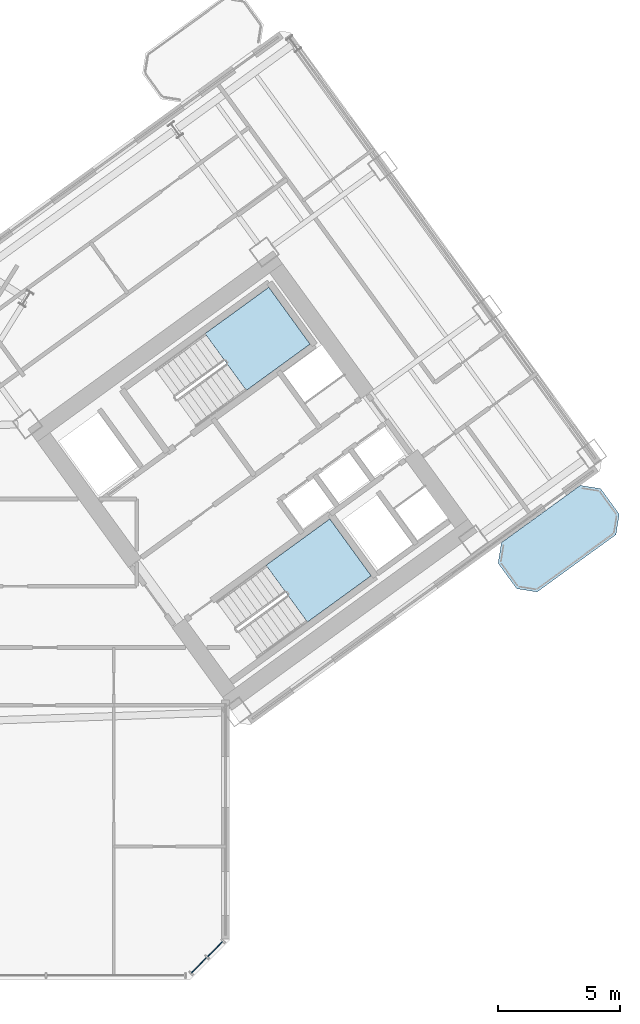
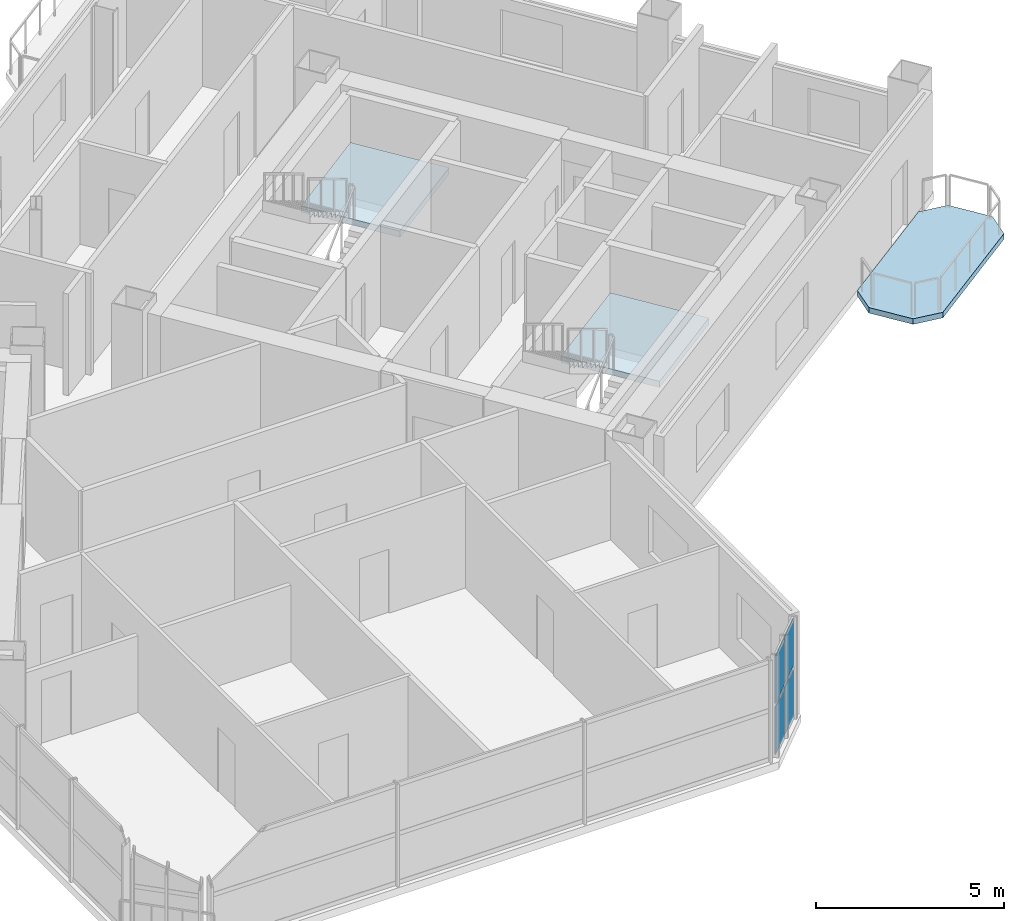
# One storey, part 10 of 22: 4 plates, 3 slabs, 3 elements without a shape of their own.
"""IFC4 building model written with IfcOpenShell, lengths in metres."""

from ifc_helpers import new_model, si_unit, direction, frame, origin, origin_2d, place, context, subcontext, project, spatial, polyline, rectangle, outline, extrude, source, transform, mapped, material, layer, layer_set, type_object, element, aggregate, save


model = new_model("IFC4")

# Units and contexts
model_context = context("Model", 3, precision=1e-05, world=origin(), true_north=direction((0.0, 1.0)))
body_context = subcontext(model_context, "Body", "Model", "MODEL_VIEW")
ifc_project = project(units=[si_unit("LENGTHUNIT", "METRE"), si_unit("AREAUNIT", "SQUARE_METRE"), si_unit("VOLUMEUNIT", "CUBIC_METRE"), si_unit("PLANEANGLEUNIT", "RADIAN"), si_unit("MASSUNIT", "GRAM", prefix="KILO")], contexts=[model_context])

# Site, building, storey
site_placement = place(None, origin())
site = spatial("IfcSite", under=ifc_project, at=site_placement, CompositionType="ELEMENT")
building_placement = place(site_placement, origin())
building = spatial("IfcBuilding", under=site, at=building_placement, Name="Tlacorven Tower", CompositionType="ELEMENT")
storey_placement = place(building_placement, frame((0.0, 0.0, 97.199951171875)))
storey = spatial("IfcBuildingStorey", under=building, at=storey_placement, Name="L24", CompositionType="ELEMENT", Elevation=97.199951171875)

# Slab
ifc_material_1 = material(Name="Precast concrete C45/55", Category="concrete")
ifc_layer_1 = layer(ifc_material_1, 0.179931640625)
ifc_layer_set_1 = layer_set([ifc_layer_1], Name="Precast concrete C45/55")
slab_type_1 = type_object("IfcSlabType", Name="SL-BAL-180", PredefinedType="USERDEFINED", material=ifc_layer_set_1)
slab_1_placement = place(storey_placement, frame((0.0, 0.0, -0.179931640625)))
element("IfcSlab", 1, at=slab_1_placement, inside=storey, type_object=slab_type_1, Name="L24 East Wing Balcony Ribbon OUT", ObjectType="BALCONY SLAB", PredefinedType="USERDEFINED", context=body_context, shape_type="SweptSolid", body=[
    extrude(outline(polyline([(65.025634765625, 17.69482421875), (68.26171875, 20.046142578125), (68.394287109375, 20.884033203125), (67.633056640625, 21.931884765625), (66.795166015625, 22.064453125), (63.55908203125, 19.71337890625), (63.42626953125, 18.875244140625), (64.1875, 17.82763671875), (65.025634765625, 17.69482421875)])), origin(), (0.0, 0.0, 1.0), 0.179931640625),
])

# Stair, slab
ifc_material_2 = material(Name="Concrete C40/50", Category="concrete")
stair_type = type_object("IfcStairType", Name="ST-CORE-DLG", PredefinedType="HALF_TURN_STAIR", material=ifc_material_2)
stair_1_placement = place(storey_placement, origin())
stair_1 = element("IfcStair", 2, at=stair_1_placement, inside=storey, type_object=stair_type, Name="L24 Protected Exit Stair East 1", PredefinedType="HALF_TURN_STAIR")
ifc_layer_2 = layer(ifc_material_2, 0.199951171875)
ifc_layer_set_2 = layer_set([ifc_layer_2], Name="Concrete C40/50")
slab_type_2 = type_object("IfcSlabType", Name="SL-LND-200", PredefinedType="LANDING", material=ifc_layer_set_2)
slab_2_placement = place(storey_placement, frame((0.0, 0.0, 1.60009765625)))
slab_2 = element("IfcSlab", 3, at=slab_2_placement, type_object=slab_type_2, Name="ST-E1 landing 1", PredefinedType="LANDING", context=body_context, shape_type="SweptSolid", body=[
    extrude(outline(polyline([(53.09765625, 25.962890625), (55.7109375, 27.861572265625), (54.01806640625, 30.19140625), (51.40478515625, 28.29296875), (53.09765625, 25.962890625)])), origin(), (0.0, 0.0, 1.0), 0.199951171875),
])
aggregate(stair_1, [slab_2])

stair_2_placement = place(storey_placement, origin())
stair_2 = element("IfcStair", 4, at=stair_2_placement, inside=storey, type_object=stair_type, Name="L24 Protected Exit Stair East 2", PredefinedType="HALF_TURN_STAIR")
slab_3_placement = place(storey_placement, frame((0.0, 0.0, 1.60009765625)))
slab_3 = element("IfcSlab", 5, at=slab_3_placement, type_object=slab_type_2, Name="ST-E2 landing 1", PredefinedType="LANDING", context=body_context, shape_type="SweptSolid", body=[
    extrude(outline(polyline([(55.601806640625, 16.4599609375), (58.21484375, 18.3583984375), (56.52197265625, 20.6884765625), (53.908935546875, 18.789794921875), (55.601806640625, 16.4599609375)])), origin(), (0.0, 0.0, 1.0), 0.199951171875),
])
aggregate(stair_2, [slab_3])

# Curtain wall, plates
ifc_material_3 = material(Name="Dark solar low-E double glazing in aluminium frame", Category="aluminium")
curtain_wall_type = type_object("IfcCurtainWallType", Name="CW-TWR-LOW", PredefinedType="USERDEFINED", material=ifc_material_3)
curtain_wall_placement = place(storey_placement, origin())
curtain_wall = element("IfcCurtainWall", 6, at=curtain_wall_placement, inside=storey, type_object=curtain_wall_type, Name="L24 CW-TWR-LOW Curtain Wall 123", ObjectType="UNITISED CURTAIN WALL", PredefinedType="USERDEFINED")
ifc_material_4 = material(Name="Dark solar double low-E glazing", Category="glass")
ifc_layer_3 = layer(ifc_material_4, 0.031982421875)
ifc_layer_set_3 = layer_set([ifc_layer_3], Name="Dark solar double low-E glazing")
plate_type = type_object("IfcPlateType", Name="CWP-02", PredefinedType="CURTAIN_PANEL", material=ifc_layer_set_3)
shared_shape = source(origin(), body_context, "Body", "SweptSolid", [
    extrude(rectangle(XDim=0.878173828125, YDim=0.031982421875, at=origin_2d()), origin(), (0.0, 0.0, 1.0), 1.5380859375),
])
plate_1_placement = place(storey_placement, frame((51.815673828125, 3.0419921875, 0.06103515625), z_axis=(0.0, 0.0, 1.0), x_axis=(-0.707106781187, -0.707106781187, 0.0)))
plate_1 = element("IfcPlate", 7, at=plate_1_placement, type_object=plate_type, Name="CW-L24-123 Glazing Panel 1", PredefinedType="CURTAIN_PANEL", context=body_context, shape_type="MappedRepresentation", body=[
    mapped(shared_shape, transform((0.0, 0.0, 0.0), scale=1.0)),
])
plate_2_placement = place(storey_placement, frame((51.815673828125, 3.0419921875, 1.720947265625), z_axis=(0.0, 0.0, 1.0), x_axis=(-0.707106781187, -0.707106781187, 0.0)))
plate_2 = element("IfcPlate", 8, at=plate_2_placement, type_object=plate_type, Name="CW-L24-123 Glazing Panel 2", PredefinedType="CURTAIN_PANEL", context=body_context, shape_type="MappedRepresentation", body=[
    mapped(shared_shape, transform((0.0, 0.0, 0.0), scale=1.0)),
])
plate_3_placement = place(storey_placement, frame((51.157958984375, 2.38427734375, 0.06103515625), z_axis=(0.0, 0.0, 1.0), x_axis=(-0.707106781187, -0.707106781187, 0.0)))
plate_3 = element("IfcPlate", 9, at=plate_3_placement, type_object=plate_type, Name="CW-L24-123 Glazing Panel 3", PredefinedType="CURTAIN_PANEL", context=body_context, shape_type="MappedRepresentation", body=[
    mapped(shared_shape, transform((0.0, 0.0, 0.0), scale=1.0)),
])
plate_4_placement = place(storey_placement, frame((51.157958984375, 2.38427734375, 1.720947265625), z_axis=(0.0, 0.0, 1.0), x_axis=(-0.707106781187, -0.707106781187, 0.0)))
plate_4 = element("IfcPlate", 10, at=plate_4_placement, type_object=plate_type, Name="CW-L24-123 Glazing Panel 4", PredefinedType="CURTAIN_PANEL", context=body_context, shape_type="MappedRepresentation", body=[
    mapped(shared_shape, transform((0.0, 0.0, 0.0), scale=1.0)),
])
aggregate(curtain_wall, [plate_1, plate_2, plate_3, plate_4])

save(model, "model.ifc")
